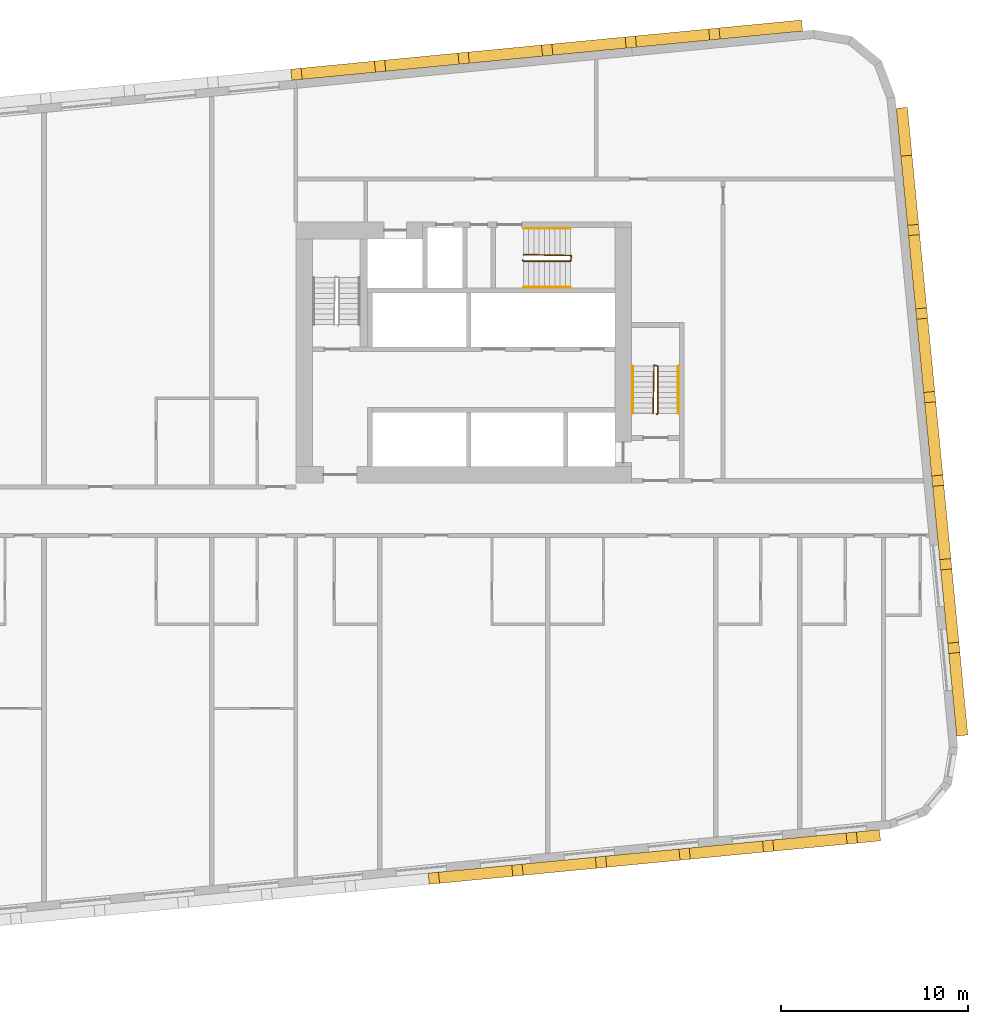
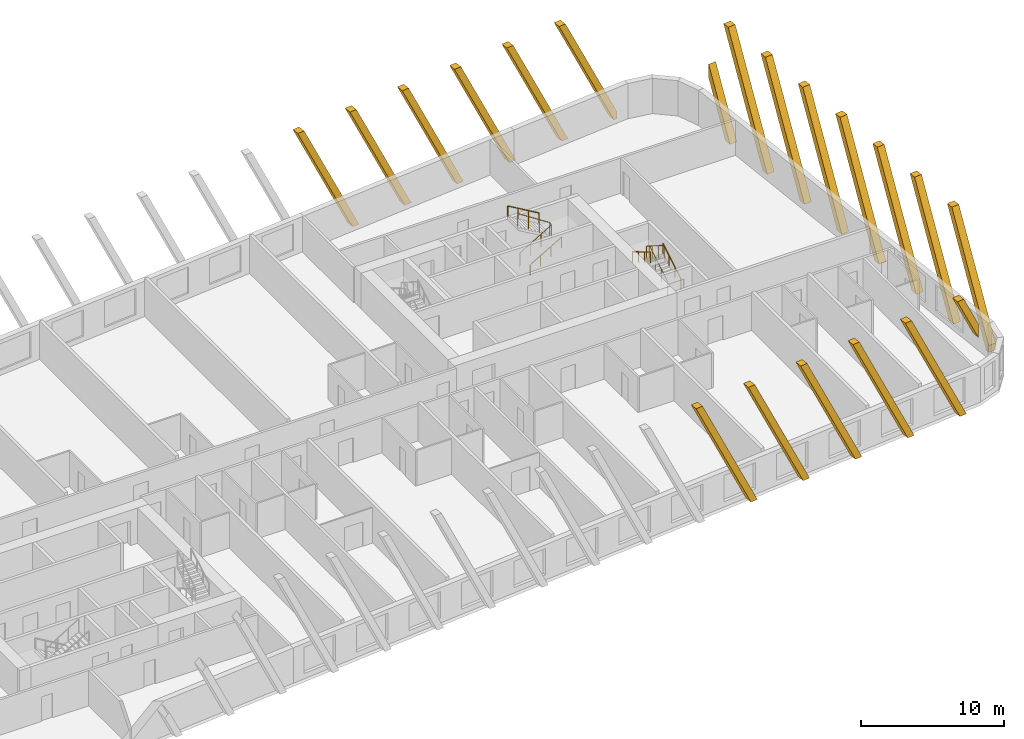
# One storey, part 13 of 13: 20 coverings, 6 railings.
"""IFC4 building model written with IfcOpenShell, lengths in metres."""

from ifc_helpers import new_model, si_unit, direction, frame, origin, origin_2d, place, context, subcontext, project, spatial, polyline, rectangle, circle, outline, extrude, material, material_profile, profile_set, type_object, element, save


model = new_model("IFC4")

# Units and contexts
model_context = context("Model", 3, precision=1e-05, world=origin(), true_north=direction((0.0, 1.0)))
body_context = subcontext(model_context, "Body", "Model", "MODEL_VIEW")
ifc_project = project(units=[si_unit("LENGTHUNIT", "METRE"), si_unit("AREAUNIT", "SQUARE_METRE"), si_unit("VOLUMEUNIT", "CUBIC_METRE"), si_unit("PLANEANGLEUNIT", "RADIAN"), si_unit("MASSUNIT", "GRAM", prefix="KILO")], contexts=[model_context])

# Site, building, storey
site_placement = place(None, origin())
site = spatial("IfcSite", under=ifc_project, at=site_placement, CompositionType="ELEMENT")
building_placement = place(site_placement, origin())
building = spatial("IfcBuilding", under=site, at=building_placement, Name="Kajstack Hotel Tower", CompositionType="ELEMENT")
storey_placement = place(building_placement, frame((0.0, 0.0, 110.800048828125)))
storey = spatial("IfcBuildingStorey", under=building, at=storey_placement, Name="L23", CompositionType="ELEMENT", Elevation=110.800048828125)

# Coverings
ifc_material_1 = material(Name="Terracotta", Category="masonry")
ifc_material_profile = material_profile(ifc_material_1, rectangle(XDim=0.60009765625, YDim=0.5, at=origin_2d()), Name="Terracotta-clad concrete baguette 500 x 600")
ifc_profile_set = profile_set([ifc_material_profile], Name="Terracotta")
covering_type = type_object("IfcCoveringType", Name="BAGUETTE 500x600", PredefinedType="CLADDING", material=ifc_profile_set)
for number, where, z_axis, x_axis, name in (
    (1, (20.594482421875, -19.401611328125, 0.0), (0.095634862357, -0.995416482233, 0.0), (0.995416482233, 0.095634862357, 0.0), "Baguette L23-04-048"),
    (2, (25.07373046875, -18.97021484375, 0.0), (0.095634862357, -0.995416482233, 0.0), (0.995416482233, 0.095634862357, 0.0), "Baguette L23-04-052"),
    (3, (29.552978515625, -18.5390625, 0.0), (0.095634862357, -0.995416482233, 0.0), (0.995416482233, 0.095634862357, 0.0), "Baguette L23-04-056"),
    (4, (34.0322265625, -18.107666015625, 0.0), (0.096038073607, -0.995377661201, 0.0), (0.995377661201, 0.096038073607, 0.0), "Baguette L23-04-060"),
):
    element("IfcCovering", number, at=place(storey_placement, frame(where, z_axis=z_axis, x_axis=x_axis)), inside=storey, type_object=covering_type, Name=name, PredefinedType="CLADDING", context=body_context, shape_type="SweptSolid", body=[
        extrude(outline(polyline([(0.0, 9.89990234375), (4.72216796875, 0.0), (5.276123046875, 0.0), (0.553955078125, 9.89990234375), (0.0, 9.89990234375)])), origin(), (0.0, 0.0, 1.0), 0.599853515625),
    ])
covering_1_placement = place(storey_placement, frame((38.511474609375, -17.67626953125, 0.0), z_axis=(0.095999188106, -0.995381412265, 0.0), x_axis=(0.995381412265, 0.095999188106, 0.0)))
element("IfcCovering", 5, at=covering_1_placement, inside=storey, type_object=covering_type, Name="Baguette L23-04-064", PredefinedType="CLADDING", context=body_context, shape_type="SweptSolid", body=[
    extrude(outline(polyline([(0.0, 9.89990234375), (4.72216796875, 0.0), (5.276123046875, 0.0), (0.553955078125, 9.89990234375), (0.0, 9.89990234375)])), origin(), (0.0, 0.0, 1.0), 0.60009765625),
])
covering_2_placement = place(storey_placement, frame((42.99072265625, -17.2451171875, 0.0), z_axis=(0.096038073607, -0.995377661201, 0.0), x_axis=(0.995377661201, 0.096038073607, 0.0)))
element("IfcCovering", 6, at=covering_2_placement, inside=storey, type_object=covering_type, Name="Baguette L23-04-068", PredefinedType="CLADDING", context=body_context, shape_type="SweptSolid", body=[
    extrude(outline(polyline([(0.0, 9.89990234375), (1.799072265625, 6.128173828125), (1.799072265625, 7.28955078125), (0.553955078125, 9.89990234375), (0.0, 9.89990234375)])), origin(), (0.0, 0.0, 1.0), 0.599853515625),
])
covering_3_placement = place(storey_placement, frame((48.91943359375, -12.052978515625, 0.0), z_axis=(0.995381412265, 0.095999188106, 0.0), x_axis=(-0.095999188106, 0.995381412265, 0.0)))
element("IfcCovering", 7, at=covering_3_placement, inside=storey, type_object=covering_type, Name="Baguette L23-08-000", PredefinedType="CLADDING", context=body_context, shape_type="SweptSolid", body=[
    extrude(outline(polyline([(4.445068359375, 9.89990234375), (0.0, 0.580810546875), (0.0, 0.0), (0.277099609375, 0.0), (4.9990234375, 9.89990234375), (4.445068359375, 9.89990234375)])), origin(), (0.0, 0.0, 1.0), 0.60009765625),
])
covering_4_placement = place(storey_placement, frame((48.5146484375, -7.849365234375, 0.0), z_axis=(0.995381412265, 0.095999188106, 0.0), x_axis=(-0.095999188106, 0.995381412265, 0.0)))
element("IfcCovering", 8, at=covering_4_placement, inside=storey, type_object=covering_type, Name="Baguette L23-08-004", PredefinedType="CLADDING", context=body_context, shape_type="SweptSolid", body=[
    extrude(outline(polyline([(4.72216796875, 9.89990234375), (0.0, 0.0), (0.553955078125, 0.0), (5.276123046875, 9.89990234375), (4.72216796875, 9.89990234375)])), origin(), (0.0, 0.0, 1.0), 0.60009765625),
])
for number, where, z_axis, x_axis, name in (
    (9, (48.08349609375, -3.369873046875, 0.0), (0.995416482233, 0.095634862357, 0.0), (-0.095634862357, 0.995416482233, 0.0), "Baguette L23-08-008"),
    (10, (47.652099609375, 1.109375, 0.0), (0.995416482233, 0.095634862357, 0.0), (-0.095634862357, 0.995416482233, 0.0), "Baguette L23-08-012"),
):
    element("IfcCovering", number, at=place(storey_placement, frame(where, z_axis=z_axis, x_axis=x_axis)), inside=storey, type_object=covering_type, Name=name, PredefinedType="CLADDING", context=body_context, shape_type="SweptSolid", body=[
        extrude(outline(polyline([(4.72216796875, 9.89990234375), (0.0, 0.0), (0.553955078125, 0.0), (5.276123046875, 9.89990234375), (4.72216796875, 9.89990234375)])), origin(), (0.0, 0.0, 1.0), 0.599853515625),
    ])
covering_5_placement = place(storey_placement, frame((47.220703125, 5.588623046875, 0.0), z_axis=(0.995420202011, 0.095596137095, 0.0), x_axis=(-0.095596137095, 0.995420202011, 0.0)))
element("IfcCovering", 11, at=covering_5_placement, inside=storey, type_object=covering_type, Name="Baguette L23-08-016", PredefinedType="CLADDING", context=body_context, shape_type="SweptSolid", body=[
    extrude(outline(polyline([(4.72216796875, 9.89990234375), (0.0, 0.0), (0.553955078125, 0.0), (5.276123046875, 9.89990234375), (4.72216796875, 9.89990234375)])), origin(), (0.0, 0.0, 1.0), 0.60009765625),
])
for number, where, z_axis, x_axis, name in (
    (12, (46.78955078125, 10.06787109375, 0.0), (0.995377661201, 0.096038073607, 0.0), (-0.096038073607, 0.995377661201, 0.0), "Baguette L23-08-020"),
    (13, (46.358154296875, 14.547119140625, 0.0), (0.995377661201, 0.096038073607, 0.0), (-0.096038073607, 0.995377661201, 0.0), "Baguette L23-08-024"),
):
    element("IfcCovering", number, at=place(storey_placement, frame(where, z_axis=z_axis, x_axis=x_axis)), inside=storey, type_object=covering_type, Name=name, PredefinedType="CLADDING", context=body_context, shape_type="SweptSolid", body=[
        extrude(outline(polyline([(4.72216796875, 9.89990234375), (0.0, 0.0), (0.553955078125, 0.0), (5.276123046875, 9.89990234375), (4.72216796875, 9.89990234375)])), origin(), (0.0, 0.0, 1.0), 0.599853515625),
    ])
covering_6_placement = place(storey_placement, frame((45.927001953125, 19.0263671875, 0.0), z_axis=(0.995377661201, 0.096038073607, 0.0), x_axis=(-0.096038073607, 0.995377661201, 0.0)))
element("IfcCovering", 14, at=covering_6_placement, inside=storey, type_object=covering_type, Name="Baguette L23-08-028", PredefinedType="CLADDING", context=body_context, shape_type="SweptSolid", body=[
    extrude(outline(polyline([(0.553955078125, 0.0), (2.576904296875, 4.2412109375), (2.576904296875, 5.402587890625), (0.0, 0.0), (0.553955078125, 0.0)])), origin(), (0.0, 0.0, 1.0), 0.599853515625),
])
covering_7_placement = place(storey_placement, frame((40.66015625, 25.7294921875, 0.0), z_axis=(-0.095634862357, 0.995416482233, 0.0), x_axis=(-0.995416482233, -0.095634862357, 0.0)))
element("IfcCovering", 15, at=covering_7_placement, inside=storey, type_object=covering_type, Name="Baguette L23-12-000", PredefinedType="CLADDING", context=body_context, shape_type="SweptSolid", body=[
    extrude(outline(polyline([(4.445068359375, 9.89990234375), (0.0, 0.580810546875), (0.0, 0.0), (0.277099609375, 0.0), (4.9990234375, 9.89990234375), (4.445068359375, 9.89990234375)])), origin(), (0.0, 0.0, 1.0), 0.599853515625),
])
for number, where, z_axis, x_axis, name in (
    (16, (36.456787109375, 25.32470703125, 0.0), (-0.096038073607, 0.995377661201, 0.0), (-0.995377661201, -0.096038073607, 0.0), "Baguette L23-12-004"),
    (17, (31.977294921875, 24.893310546875, 0.0), (-0.095634862357, 0.995416482233, 0.0), (-0.995416482233, -0.095634862357, 0.0), "Baguette L23-12-008"),
):
    element("IfcCovering", number, at=place(storey_placement, frame(where, z_axis=z_axis, x_axis=x_axis)), inside=storey, type_object=covering_type, Name=name, PredefinedType="CLADDING", context=body_context, shape_type="SweptSolid", body=[
        extrude(outline(polyline([(4.72216796875, 9.89990234375), (0.0, 0.0), (0.553955078125, 0.0), (5.276123046875, 9.89990234375), (4.72216796875, 9.89990234375)])), origin(), (0.0, 0.0, 1.0), 0.599853515625),
    ])
covering_8_placement = place(storey_placement, frame((27.498046875, 24.4619140625, 0.0), z_axis=(-0.095596137095, 0.995420202011, 0.0), x_axis=(-0.995420202011, -0.095596137095, 0.0)))
element("IfcCovering", 18, at=covering_8_placement, inside=storey, type_object=covering_type, Name="Baguette L23-12-012", PredefinedType="CLADDING", context=body_context, shape_type="SweptSolid", body=[
    extrude(outline(polyline([(4.72216796875, 9.89990234375), (0.0, 0.0), (0.553955078125, 0.0), (5.276123046875, 9.89990234375), (4.72216796875, 9.89990234375)])), origin(), (0.0, 0.0, 1.0), 0.60009765625),
])
for number, where, z_axis, x_axis, name in (
    (19, (23.018798828125, 24.03076171875, 0.0), (-0.095634862357, 0.995416482233, 0.0), (-0.995416482233, -0.095634862357, 0.0), "Baguette L23-12-016"),
    (20, (18.53955078125, 23.599365234375, 0.0), (-0.096038073607, 0.995377661201, 0.0), (-0.995377661201, -0.096038073607, 0.0), "Baguette L23-12-020"),
):
    element("IfcCovering", number, at=place(storey_placement, frame(where, z_axis=z_axis, x_axis=x_axis)), inside=storey, type_object=covering_type, Name=name, PredefinedType="CLADDING", context=body_context, shape_type="SweptSolid", body=[
        extrude(outline(polyline([(4.72216796875, 9.89990234375), (0.0, 0.0), (0.553955078125, 0.0), (5.276123046875, 9.89990234375), (4.72216796875, 9.89990234375)])), origin(), (0.0, 0.0, 1.0), 0.599853515625),
    ])

# Railings
ifc_material_2 = material(Name="Steel S355J2", Category="steel")
railing_type_1 = type_object("IfcRailingType", Name="Stair guard 1100", PredefinedType="GUARDRAIL", material=ifc_material_2)
railing_1_placement = place(storey_placement, frame((32.85009765625, 5.199951171875, 0.0)))
element("IfcRailing", 21, at=railing_1_placement, inside=storey, type_object=railing_type_1, Name="L23 E1 stair guard 1", PredefinedType="GUARDRAIL", context=body_context, shape_type="SweptSolid", body=[
    extrude(circle(Radius=0.02392578125, at=origin_2d()), frame((0.0, 0.0, 1.076171875), z_axis=(0.277450376394, 0.278810427259, 0.919394384522), x_axis=(-0.708833529934, 0.705375805398, 0.0)), (0.0, 0.0, 1.0), 0.179443359375),
    extrude(circle(Radius=0.02392578125, at=origin_2d()), frame((0.0498046875, 0.050048828125, 1.2412109375), z_axis=(0.0, 0.861560626758, 0.507654692109), x_axis=(-1.0, 0.0, 0.0)), (0.0, 0.0, 1.0), 2.925048828125),
    extrude(circle(Radius=0.02392578125, at=origin_2d()), frame((0.0498046875, 2.570068359375, 2.72607421875), z_axis=(-0.970072785993, 0.242814311512, 0.0), x_axis=(-0.242814311512, -0.970072785993, 0.0)), (0.0, 0.0, 1.0), 0.2060546875),
    extrude(circle(Radius=0.02392578125, at=origin_2d()), frame((-0.150146484375, 2.6201171875, 2.72607421875), z_axis=(-0.016384601254, -0.84136925563, 0.540212292087), x_axis=(0.999810440751, -0.019470042781, 0.0)), (0.0, 0.0, 1.0), 3.0546875),
    extrude(circle(Radius=0.02099609375, at=origin_2d()), origin(), (0.0, 0.0, 1.0), 1.052001953125),
    extrude(circle(Radius=0.02099609375, at=origin_2d()), frame((0.0498046875, 0.050048828125, 0.1650390625)), (0.0, 0.0, 1.0), 1.052001953125),
    extrude(circle(Radius=0.02099609375, at=origin_2d()), frame((0.0498046875, 0.89013671875, 0.659912109375)), (0.0, 0.0, 1.0), 1.052001953125),
    extrude(circle(Radius=0.02099609375, at=origin_2d()), frame((0.0498046875, 1.72998046875, 1.155029296875)), (0.0, 0.0, 1.0), 1.052001953125),
    extrude(circle(Radius=0.02099609375, at=origin_2d()), frame((0.0498046875, 2.570068359375, 1.64990234375)), (0.0, 0.0, 1.0), 1.052001953125),
    extrude(circle(Radius=0.02099609375, at=origin_2d()), frame((-0.150146484375, 2.6201171875, 1.64990234375)), (0.0, 0.0, 1.0), 1.052001953125),
    extrude(circle(Radius=0.02099609375, at=origin_2d()), frame((-0.166748046875, 1.763427734375, 2.199951171875)), (0.0, 0.0, 1.0), 1.052001953125),
    extrude(circle(Radius=0.02099609375, at=origin_2d()), frame((-0.18359375, 0.90673828125, 2.75)), (0.0, 0.0, 1.0), 1.052001953125),
    extrude(circle(Radius=0.02099609375, at=origin_2d()), frame((-0.2001953125, 0.050048828125, 3.300048828125)), (0.0, 0.0, 1.0), 1.052001953125),
])
railing_2_placement = place(storey_placement, frame((25.64990234375, 13.449951171875, 0.0)))
element("IfcRailing", 22, at=railing_2_placement, inside=storey, type_object=railing_type_1, Name="L23 E3 stair guard 1", PredefinedType="GUARDRAIL", context=body_context, shape_type="SweptSolid", body=[
    extrude(circle(Radius=0.02392578125, at=origin_2d()), frame((0.0, 0.0, 1.076171875), z_axis=(0.278705021027, -0.278705021027, 0.919046801044), x_axis=(0.707106781187, 0.707106781187, 0.0)), (0.0, 0.0, 1.0), 0.1796875),
    extrude(circle(Radius=0.02392578125, at=origin_2d()), frame((0.050048828125, -0.050048828125, 1.2412109375), z_axis=(0.861560626758, 0.0, 0.507654692109), x_axis=(0.0, 1.0, 0.0)), (0.0, 0.0, 1.0), 2.925048828125),
    extrude(circle(Radius=0.02392578125, at=origin_2d()), frame((2.570068359375, -0.050048828125, 2.72607421875), z_axis=(0.164529134168, 0.986372223864, 0.0), x_axis=(-0.986372223864, 0.164529134168, 0.0)), (0.0, 0.0, 1.0), 0.30419921875),
    extrude(circle(Radius=0.02392578125, at=origin_2d()), frame((2.6201171875, 0.25, 2.72607421875), z_axis=(-0.84136925563, 0.016384601254, 0.540212292087), x_axis=(-0.019470042781, -0.999810440751, 0.0)), (0.0, 0.0, 1.0), 3.0546875),
    extrude(circle(Radius=0.02099609375, at=origin_2d()), origin(), (0.0, 0.0, 1.0), 1.052001953125),
    extrude(circle(Radius=0.02099609375, at=origin_2d()), frame((0.050048828125, -0.050048828125, 0.1650390625)), (0.0, 0.0, 1.0), 1.052001953125),
    extrude(circle(Radius=0.02099609375, at=origin_2d()), frame((0.89013671875, -0.050048828125, 0.659912109375)), (0.0, 0.0, 1.0), 1.052001953125),
    extrude(circle(Radius=0.02099609375, at=origin_2d()), frame((1.72998046875, -0.050048828125, 1.155029296875)), (0.0, 0.0, 1.0), 1.052001953125),
    extrude(circle(Radius=0.02099609375, at=origin_2d()), frame((2.570068359375, -0.050048828125, 1.64990234375)), (0.0, 0.0, 1.0), 1.052001953125),
    extrude(circle(Radius=0.02099609375, at=origin_2d()), frame((2.6201171875, 0.25, 1.64990234375)), (0.0, 0.0, 1.0), 1.052001953125),
    extrude(circle(Radius=0.02099609375, at=origin_2d()), frame((1.763427734375, 0.2666015625, 2.199951171875)), (0.0, 0.0, 1.0), 1.052001953125),
    extrude(circle(Radius=0.02099609375, at=origin_2d()), frame((0.90673828125, 0.283447265625, 2.75)), (0.0, 0.0, 1.0), 1.052001953125),
    extrude(circle(Radius=0.02099609375, at=origin_2d()), frame((0.050048828125, 0.300048828125, 3.300048828125)), (0.0, 0.0, 1.0), 1.052001953125),
])
railing_type_2 = type_object("IfcRailingType", Name="Stair handrail 900", PredefinedType="HANDRAIL", material=ifc_material_2)
railing_3_placement = place(storey_placement, frame((34.0, 5.25, 0.1650390625)))
element("IfcRailing", 23, at=railing_3_placement, inside=storey, type_object=railing_type_2, Name="L23 E1 stair handrail 1", PredefinedType="HANDRAIL", context=body_context, shape_type="SweptSolid", body=[
    extrude(circle(Radius=0.02392578125, at=origin_2d()), frame((0.0, 0.0, 0.8759765625), z_axis=(0.0, 0.861560626758, 0.507654692109), x_axis=(-1.0, 0.0, 0.0)), (0.0, 0.0, 1.0), 2.925048828125),
    extrude(circle(Radius=0.02099609375, at=origin_2d()), origin(), (0.0, 0.0, 1.0), 0.851806640625),
    extrude(circle(Radius=0.02099609375, at=origin_2d()), frame((0.0, 0.840087890625, 0.494873046875)), (0.0, 0.0, 1.0), 0.851806640625),
    extrude(circle(Radius=0.02099609375, at=origin_2d()), frame((0.0, 1.679931640625, 0.989990234375)), (0.0, 0.0, 1.0), 0.851806640625),
    extrude(circle(Radius=0.02099609375, at=origin_2d()), frame((0.0, 2.52001953125, 1.48486328125)), (0.0, 0.0, 1.0), 0.851806640625),
])
railing_4_placement = place(storey_placement, frame((31.550048828125, 7.77001953125, 1.81494140625)))
element("IfcRailing", 24, at=railing_4_placement, inside=storey, type_object=railing_type_2, Name="L23 E1 stair handrail 2", PredefinedType="HANDRAIL", context=body_context, shape_type="SweptSolid", body=[
    extrude(circle(Radius=0.02392578125, at=origin_2d()), frame((0.0, 0.0, 0.8759765625), z_axis=(0.0, -0.86152411907, 0.507716645641), x_axis=(1.0, 0.0, 0.0)), (0.0, 0.0, 1.0), 2.925048828125),
    extrude(circle(Radius=0.02099609375, at=origin_2d()), origin(), (0.0, 0.0, 1.0), 0.851806640625),
    extrude(circle(Radius=0.02099609375, at=origin_2d()), frame((0.0, -0.840087890625, 0.4951171875)), (0.0, 0.0, 1.0), 0.851806640625),
    extrude(circle(Radius=0.02099609375, at=origin_2d()), frame((0.0, -1.679931640625, 0.989990234375)), (0.0, 0.0, 1.0), 0.851806640625),
    extrude(circle(Radius=0.02099609375, at=origin_2d()), frame((0.0, -2.52001953125, 1.485107421875)), (0.0, 0.0, 1.0), 0.851806640625),
])
railing_5_placement = place(storey_placement, frame((25.699951171875, 12.0, 0.1650390625)))
element("IfcRailing", 25, at=railing_5_placement, inside=storey, type_object=railing_type_2, Name="L23 E3 stair handrail 1", PredefinedType="HANDRAIL", context=body_context, shape_type="SweptSolid", body=[
    extrude(circle(Radius=0.02392578125, at=origin_2d()), frame((0.0, 0.0, 0.8759765625), z_axis=(0.861560626758, 0.0, 0.507654692109), x_axis=(0.0, 1.0, 0.0)), (0.0, 0.0, 1.0), 2.925048828125),
    extrude(circle(Radius=0.02099609375, at=origin_2d()), origin(), (0.0, 0.0, 1.0), 0.851806640625),
    extrude(circle(Radius=0.02099609375, at=origin_2d()), frame((0.840087890625, 0.0, 0.494873046875)), (0.0, 0.0, 1.0), 0.851806640625),
    extrude(circle(Radius=0.02099609375, at=origin_2d()), frame((1.679931640625, 0.0, 0.989990234375)), (0.0, 0.0, 1.0), 0.851806640625),
    extrude(circle(Radius=0.02099609375, at=origin_2d()), frame((2.52001953125, 0.0, 1.48486328125)), (0.0, 0.0, 1.0), 0.851806640625),
])
railing_6_placement = place(storey_placement, frame((28.219970703125, 15.14990234375, 1.81494140625)))
element("IfcRailing", 26, at=railing_6_placement, inside=storey, type_object=railing_type_2, Name="L23 E3 stair handrail 2", PredefinedType="HANDRAIL", context=body_context, shape_type="SweptSolid", body=[
    extrude(circle(Radius=0.02392578125, at=origin_2d()), frame((0.0, 0.0, 0.8759765625), z_axis=(-0.86152411907, 0.0, 0.507716645641), x_axis=(0.0, -1.0, 0.0)), (0.0, 0.0, 1.0), 2.925048828125),
    extrude(circle(Radius=0.02099609375, at=origin_2d()), origin(), (0.0, 0.0, 1.0), 0.851806640625),
    extrude(circle(Radius=0.02099609375, at=origin_2d()), frame((-0.840087890625, 0.0, 0.4951171875)), (0.0, 0.0, 1.0), 0.851806640625),
    extrude(circle(Radius=0.02099609375, at=origin_2d()), frame((-1.679931640625, 0.0, 0.989990234375)), (0.0, 0.0, 1.0), 0.851806640625),
    extrude(circle(Radius=0.02099609375, at=origin_2d()), frame((-2.52001953125, 0.0, 1.485107421875)), (0.0, 0.0, 1.0), 0.851806640625),
])

save(model, "model.ifc")
